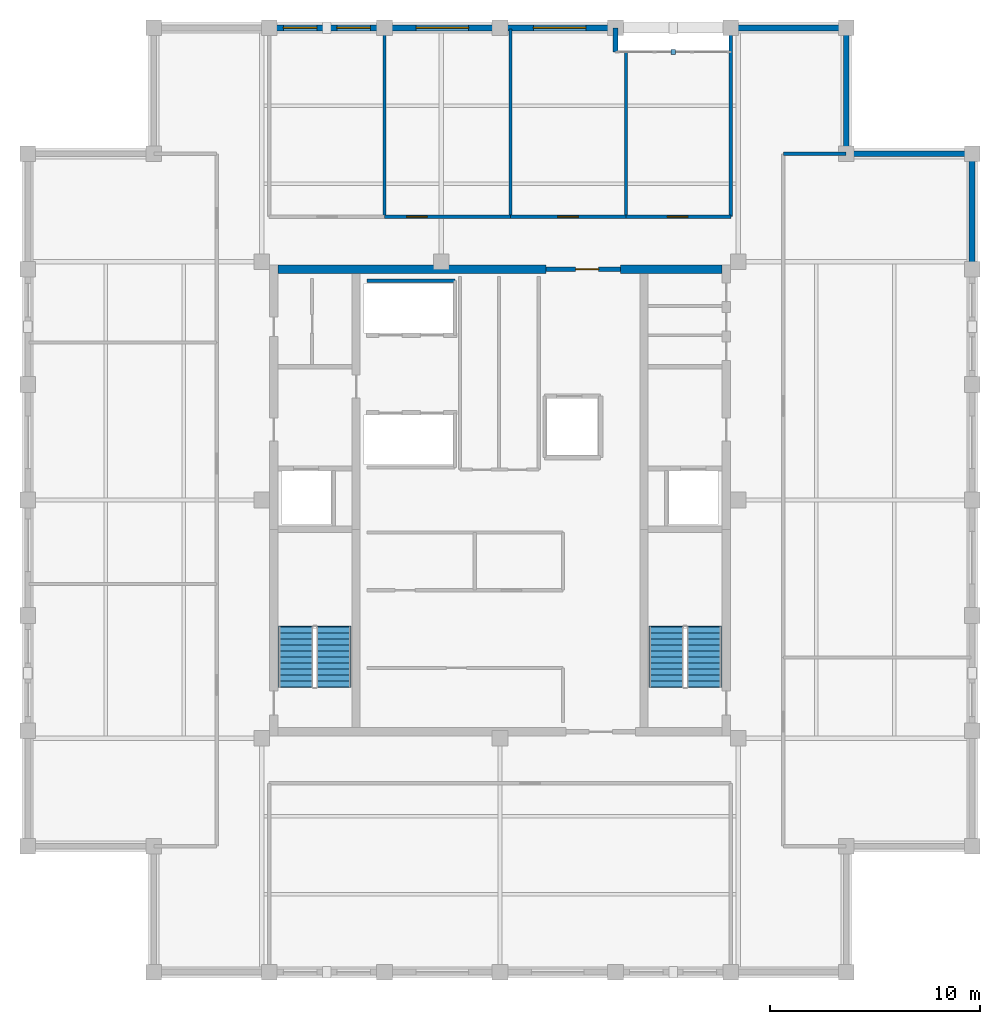
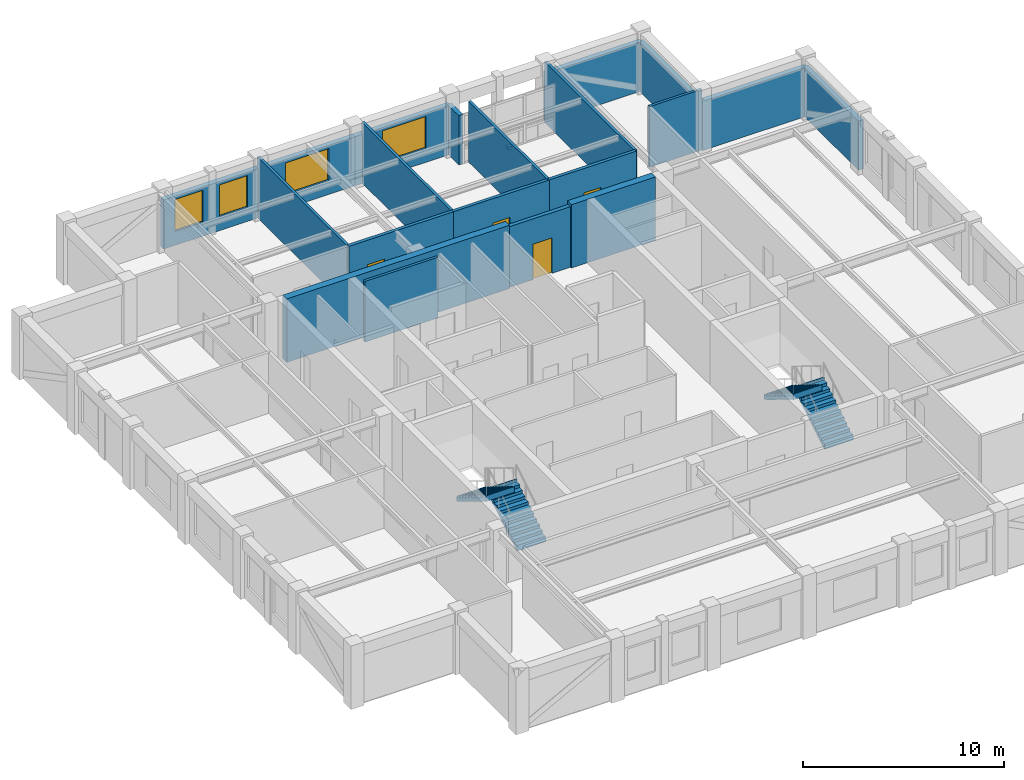
# One storey, part 6 of 7: 20 walls, 4 doors, 4 stair flights, 4 windows, 1 discrete accessory, 8 openings, 2 elements without a shape of their own.
"""IFC4 building model written with IfcOpenShell, lengths in metres."""

from ifc_helpers import new_model, si_unit, direction, frame, frame_2d, origin, origin_2d, place, context, subcontext, project, spatial, polyline, rectangle, outline, extrude, material, layer, layer_set, type_object, element, fill, aggregate, save


model = new_model("IFC4")

# Units and contexts
model_context = context("Model", 3, precision=1e-05, world=origin(), true_north=direction((0.0, 1.0)))
body_context = subcontext(model_context, "Body", "Model", "MODEL_VIEW")
ifc_project = project(units=[si_unit("LENGTHUNIT", "METRE"), si_unit("AREAUNIT", "SQUARE_METRE"), si_unit("VOLUMEUNIT", "CUBIC_METRE"), si_unit("PLANEANGLEUNIT", "RADIAN"), si_unit("MASSUNIT", "GRAM", prefix="KILO")], contexts=[model_context])

# Site, building, storey
site_placement = place(None, origin())
site = spatial("IfcSite", under=ifc_project, at=site_placement, CompositionType="ELEMENT")
building_placement = place(site_placement, origin())
building = spatial("IfcBuilding", under=site, at=building_placement, Name="Nhamokura Convention Tower", CompositionType="ELEMENT")
storey_placement = place(building_placement, frame((0.0, 0.0, 281.39990234375)))
storey = spatial("IfcBuildingStorey", under=building, at=storey_placement, Name="L69", CompositionType="ELEMENT", Elevation=281.39990234375)

# Wall
ifc_material_1 = material(Name="Bronze-pigmented precast concrete C45/55", Category="concrete")
ifc_layer_1 = layer(ifc_material_1, 0.280029296875)
ifc_layer_set_1 = layer_set([ifc_layer_1], Name="BronzePrecastSpandrel_280")
wall_type_1 = type_object("IfcWallType", Name="BronzePrecastSpandrel_280", PredefinedType="USERDEFINED", material=ifc_layer_set_1)
wall_1_placement = place(storey_placement, frame((37.5, 54.5, 0.0), z_axis=(0.0, 0.0, 1.0), x_axis=(0.0, -1.0, 0.0)))
element("IfcWall", 1, at=wall_1_placement, inside=storey, type_object=wall_type_1, Name="L69 Scale Slot Cheek Wall NORTHA", ObjectType="SPANDREL_WALL", PredefinedType="USERDEFINED", context=body_context, shape_type="SweptSolid", body=[
    extrude(rectangle(XDim=1.14990234375, YDim=0.239990234375, at=frame_2d((0.574951171875, 0.0))), origin(), (0.0, 0.0, 1.0), 2.985107421875),
])

# Wall, openings, windows
wall_2_placement = place(storey_placement, frame((21.0, 54.5, 0.0), z_axis=(0.0, 0.0, 1.0), x_axis=(1.0, 0.0, 0.0)))
wall_2 = element("IfcWall", 2, at=wall_2_placement, inside=storey, type_object=wall_type_1, Name="L69 Masonry-Frame Wall NORTH 1", ObjectType="SPANDREL_WALL", PredefinedType="USERDEFINED", context=body_context, shape_type="SweptSolid", body=[
    extrude(rectangle(XDim=5.5, YDim=0.280029296875, at=frame_2d((2.75, 0.0))), origin(), (0.0, 0.0, 1.0), 2.985107421875),
])
opening_1_placement = place(wall_2_placement, frame((0.675048828125, 0.0, 0.85009765625)))
opening_1 = element("IfcOpeningElement", 3, at=opening_1_placement, cuts=wall_2, Name="Opening W-11", PredefinedType="OPENING", context=body_context, shape_type="SweptSolid", body=[
    extrude(rectangle(XDim=1.60009765625, YDim=1.93505859375, at=frame_2d((0.800048828125, 0.967529296875))), frame((0.0, 0.14990234375, 0.0), z_axis=(0.0, -1.0, 0.0), x_axis=(1.0, 0.0, 0.0)), (0.0, 0.0, 1.0), 0.300048828125),
])
opening_2_placement = place(wall_2_placement, frame((3.22509765625, 0.0, 0.85009765625)))
opening_2 = element("IfcOpeningElement", 4, at=opening_2_placement, cuts=wall_2, Name="Opening W-11", PredefinedType="OPENING", context=body_context, shape_type="SweptSolid", body=[
    extrude(rectangle(XDim=1.60009765625, YDim=1.93505859375, at=frame_2d((0.800048828125, 0.967529296875))), frame((0.0, 0.14990234375, 0.0), z_axis=(0.0, -1.0, 0.0), x_axis=(1.0, 0.0, 0.0)), (0.0, 0.0, 1.0), 0.300048828125),
])
ifc_material_2 = material(Name="Solar-control bronze low-E double glass", Category="glass")
window_type_1 = type_object("IfcWindowType", Name="NotchCornerWindow_1600", PartitioningType="SINGLE_PANEL", PredefinedType="WINDOW", material=ifc_material_2)
window_1_placement = place(opening_1_placement, origin())
window_1 = element("IfcWindow", 5, at=window_1_placement, inside=storey, type_object=window_type_1, Name="L69 Facade Window NORTH 1-1", OverallHeight=1.93505859375, OverallWidth=1.60009765625, PartitioningType="SINGLE_PANEL", PredefinedType="WINDOW", context=body_context, shape_type="SweptSolid", body=[
    extrude(rectangle(XDim=1.60009765625, YDim=1.93505859375, at=frame_2d((0.800048828125, 0.967529296875))), frame((0.0, 0.030029296875, 0.0), z_axis=(0.0, -1.0, 0.0), x_axis=(1.0, 0.0, 0.0)), (0.0, 0.0, 1.0), 0.06005859375),
])
fill(opening_1, window_1)
window_2_placement = place(opening_2_placement, origin())
window_2 = element("IfcWindow", 6, at=window_2_placement, inside=storey, type_object=window_type_1, Name="L69 Facade Window NORTH 1-2", OverallHeight=1.93505859375, OverallWidth=1.60009765625, PartitioningType="SINGLE_PANEL", PredefinedType="WINDOW", context=body_context, shape_type="SweptSolid", body=[
    extrude(rectangle(XDim=1.60009765625, YDim=1.93505859375, at=frame_2d((0.800048828125, 0.967529296875))), frame((0.0, 0.030029296875, 0.0), z_axis=(0.0, -1.0, 0.0), x_axis=(1.0, 0.0, 0.0)), (0.0, 0.0, 1.0), 0.06005859375),
])
fill(opening_2, window_2)

# Wall, opening, window
wall_3_placement = place(storey_placement, frame((26.5, 54.5, 0.0), z_axis=(0.0, 0.0, 1.0), x_axis=(1.0, 0.0, 0.0)))
wall_3 = element("IfcWall", 7, at=wall_3_placement, inside=storey, type_object=wall_type_1, Name="L69 Masonry-Frame Wall NORTH 2", ObjectType="SPANDREL_WALL", PredefinedType="USERDEFINED", context=body_context, shape_type="SweptSolid", body=[
    extrude(rectangle(XDim=5.5, YDim=0.280029296875, at=frame_2d((2.75, 0.0))), origin(), (0.0, 0.0, 1.0), 2.985107421875),
])
opening_3_placement = place(wall_3_placement, frame((1.5, 0.0, 0.85009765625)))
opening_3 = element("IfcOpeningElement", 8, at=opening_3_placement, cuts=wall_3, Name="Opening W-09", PredefinedType="OPENING", context=body_context, shape_type="SweptSolid", body=[
    extrude(rectangle(XDim=2.5, YDim=1.93505859375, at=frame_2d((1.25, 0.967529296875))), frame((0.0, 0.14990234375, 0.0), z_axis=(0.0, -1.0, 0.0), x_axis=(1.0, 0.0, 0.0)), (0.0, 0.0, 1.0), 0.300048828125),
])
ifc_material_3 = material(Name="Solar-control bronze low-E double glass", Category="glass")
window_type_2 = type_object("IfcWindowType", Name="SummitWindow_Z4_2500", PartitioningType="DOUBLE_PANEL_VERTICAL", PredefinedType="WINDOW", material=ifc_material_3)
window_3_placement = place(opening_3_placement, origin())
window_3 = element("IfcWindow", 9, at=window_3_placement, inside=storey, type_object=window_type_2, Name="L69 Facade Window NORTH 2", OverallHeight=1.93505859375, OverallWidth=2.5, PartitioningType="SINGLE_PANEL", PredefinedType="WINDOW", context=body_context, shape_type="SweptSolid", body=[
    extrude(rectangle(XDim=2.5, YDim=1.93505859375, at=frame_2d((1.25, 0.967529296875))), frame((0.0, 0.030029296875, 0.0), z_axis=(0.0, -1.0, 0.0), x_axis=(1.0, 0.0, 0.0)), (0.0, 0.0, 1.0), 0.06005859375),
])
fill(opening_3, window_3)

wall_4_placement = place(storey_placement, frame((32.0, 54.5, 0.0), z_axis=(0.0, 0.0, 1.0), x_axis=(1.0, 0.0, 0.0)))
wall_4 = element("IfcWall", 10, at=wall_4_placement, inside=storey, type_object=wall_type_1, Name="L69 Masonry-Frame Wall NORTH 3", ObjectType="SPANDREL_WALL", PredefinedType="USERDEFINED", context=body_context, shape_type="SweptSolid", body=[
    extrude(rectangle(XDim=5.5, YDim=0.280029296875, at=frame_2d((2.75, 0.0))), origin(), (0.0, 0.0, 1.0), 2.985107421875),
])
opening_4_placement = place(wall_4_placement, frame((1.58740234375, 0.0, 0.85009765625)))
opening_4 = element("IfcOpeningElement", 11, at=opening_4_placement, cuts=wall_4, Name="Opening W-09", PredefinedType="OPENING", context=body_context, shape_type="SweptSolid", body=[
    extrude(rectangle(XDim=2.5, YDim=1.93505859375, at=frame_2d((1.25, 0.967529296875))), frame((0.0, 0.14990234375, 0.0), z_axis=(0.0, -1.0, 0.0), x_axis=(1.0, 0.0, 0.0)), (0.0, 0.0, 1.0), 0.300048828125),
])
window_4_placement = place(opening_4_placement, origin())
window_4 = element("IfcWindow", 12, at=window_4_placement, inside=storey, type_object=window_type_2, Name="L69 Facade Window NORTH 3", OverallHeight=1.93505859375, OverallWidth=2.5, PartitioningType="SINGLE_PANEL", PredefinedType="WINDOW", context=body_context, shape_type="SweptSolid", body=[
    extrude(rectangle(XDim=2.5, YDim=1.93505859375, at=frame_2d((1.25, 0.967529296875))), frame((0.0, 0.030029296875, 0.0), z_axis=(0.0, -1.0, 0.0), x_axis=(1.0, 0.0, 0.0)), (0.0, 0.0, 1.0), 0.06005859375),
])
fill(opening_4, window_4)

# Walls
for number, where, z_axis, x_axis, name in (
    (13, (43.0, 54.5, 0.0), (0.0, 0.0, 1.0), (1.0, 0.0, 0.0), "L69 Braced-Bay Precast Wall NORTH 5"),
    (14, (54.5, 48.5, 0.0), (0.0, 0.0, 1.0), (0.0, -1.0, 0.0), "L69 Braced-Bay Precast Wall EAST 5"),
):
    element("IfcWall", number, at=place(storey_placement, frame(where, z_axis=z_axis, x_axis=x_axis)), inside=storey, type_object=wall_type_1, Name=name, ObjectType="SPANDREL_WALL", PredefinedType="USERDEFINED", context=body_context, shape_type="SweptSolid", body=[
        extrude(rectangle(XDim=5.5, YDim=0.280029296875, at=frame_2d((2.75, 0.0))), origin(), (0.0, 0.0, 1.0), 2.985107421875),
    ])
for number, where, z_axis, x_axis, name in (
    (15, (48.5, 48.5, 0.0), (0.0, 0.0, 1.0), (1.0, 0.0, 0.0), "L69 Notched Corner Wall NE1"),
    (16, (48.5, 54.5, 0.0), (0.0, 0.0, 1.0), (0.0, -1.0, 0.0), "L69 Notched Corner Wall NE2"),
):
    element("IfcWall", number, at=place(storey_placement, frame(where, z_axis=z_axis, x_axis=x_axis)), inside=storey, type_object=wall_type_1, Name=name, ObjectType="SPANDREL_WALL", PredefinedType="USERDEFINED", context=body_context, shape_type="SweptSolid", body=[
        extrude(rectangle(XDim=6.0, YDim=0.280029296875, at=frame_2d((3.0, 0.0))), origin(), (0.0, 0.0, 1.0), 2.985107421875),
    ])
ifc_material_4 = material(Name="Concrete C50/60", Category="concrete")
ifc_layer_2 = layer(ifc_material_4, 0.39990234375)
ifc_layer_set_2 = layer_set([ifc_layer_2], Name="CoreShearWall_400")
wall_type_2 = type_object("IfcWallType", Name="CoreShearWall_400", PredefinedType="SHEAR", material=ifc_layer_set_2)
wall_5_placement = place(storey_placement, frame((21.409912109375, 43.0, 0.0), z_axis=(0.0, 0.0, 1.0), x_axis=(1.0, 0.0, 0.0)))
element("IfcWall", 17, at=wall_5_placement, inside=storey, type_object=wall_type_2, Name="L69 Core Shear Wall CW-N1", PredefinedType="SHEAR", context=body_context, shape_type="SweptSolid", body=[
    extrude(rectangle(XDim=12.7900390625, YDim=0.39990234375, at=frame_2d((6.39501953125, 0.0))), origin(), (0.0, 0.0, 1.0), 3.85009765625),
])
wall_6_placement = place(storey_placement, frame((37.75, 43.0, 0.0), z_axis=(0.0, 0.0, 1.0), x_axis=(1.0, 0.0, 0.0)))
element("IfcWall", 18, at=wall_6_placement, inside=storey, type_object=wall_type_2, Name="L69 Core Shear Wall CW-N2", PredefinedType="SHEAR", context=body_context, shape_type="SweptSolid", body=[
    extrude(rectangle(XDim=4.840087890625, YDim=0.39990234375, at=frame_2d((2.419921875, 0.0))), origin(), (0.0, 0.0, 1.0), 3.85009765625),
])

# Wall, opening, door
ifc_material_5 = material(Name="Fire-rated gypsum and masonry partition", Category="masonry")
ifc_layer_3 = layer(ifc_material_5, 0.179931640625)
ifc_layer_set_3 = layer_set([ifc_layer_3], Name="CorridorRatedWall_180")
wall_type_3 = type_object("IfcWallType", Name="CorridorRatedWall_180", PredefinedType="STANDARD", material=ifc_layer_set_3)
wall_7_placement = place(storey_placement, frame((26.5, 45.5, 0.0), z_axis=(0.0, 0.0, 1.0), x_axis=(1.0, 0.0, 0.0)))
wall_7 = element("IfcWall", 19, at=wall_7_placement, inside=storey, type_object=wall_type_3, Name="L69 Wall INT-L69-CW-N01", PredefinedType="STANDARD", context=body_context, shape_type="SweptSolid", body=[
    extrude(rectangle(XDim=6.0, YDim=0.179931640625, at=frame_2d((3.0, 0.0))), origin(), (0.0, 0.0, 1.0), 3.68505859375),
])
opening_5_placement = place(wall_7_placement, frame((1.050048828125, 0.0, 0.0)))
opening_5 = element("IfcOpeningElement", 20, at=opening_5_placement, cuts=wall_7, Name="Opening D-08", PredefinedType="OPENING", context=body_context, shape_type="SweptSolid", body=[
    extrude(rectangle(XDim=0.97998046875, YDim=2.199951171875, at=frame_2d((0.489990234375, 1.10009765625))), frame((0.0, 0.099853515625, 0.0), z_axis=(0.0, -1.0, 0.0), x_axis=(1.0, 0.0, 0.0)), (0.0, 0.0, 1.0), 0.199951171875),
])
ifc_material_6 = material(Name="Solid oak hardwood", Category="wood")
door_type_1 = type_object("IfcDoorType", Name="OfficeEntryDoor_980", OperationType="NOTDEFINED", PredefinedType="DOOR", material=ifc_material_6)
door_1_placement = place(opening_5_placement, origin())
door_1 = element("IfcDoor", 21, at=door_1_placement, inside=storey, type_object=door_type_1, Name="L69 Meeting Room N02 Door", OperationType="SINGLE_SWING_RIGHT", OverallHeight=2.199951171875, OverallWidth=0.97998046875, PredefinedType="DOOR", context=body_context, shape_type="SweptSolid", body=[
    extrude(rectangle(XDim=0.97998046875, YDim=2.199951171875, at=frame_2d((0.489990234375, 1.10009765625))), frame((0.0, 0.02490234375, 0.0), z_axis=(0.0, -1.0, 0.0), x_axis=(1.0, 0.0, 0.0)), (0.0, 0.0, 1.0), 0.050048828125),
])
fill(opening_5, door_1)

wall_8_placement = place(storey_placement, frame((32.5, 45.5, 0.0), z_axis=(0.0, 0.0, 1.0), x_axis=(1.0, 0.0, 0.0)))
wall_8 = element("IfcWall", 22, at=wall_8_placement, inside=storey, type_object=wall_type_3, Name="L69 Wall INT-L69-CW-N02", PredefinedType="STANDARD", context=body_context, shape_type="SweptSolid", body=[
    extrude(rectangle(XDim=5.5, YDim=0.179931640625, at=frame_2d((2.75, 0.0))), origin(), (0.0, 0.0, 1.0), 3.68505859375),
])
opening_6_placement = place(wall_8_placement, frame((2.25, 0.0, 0.0)))
opening_6 = element("IfcOpeningElement", 23, at=opening_6_placement, cuts=wall_8, Name="Opening D-08", PredefinedType="OPENING", context=body_context, shape_type="SweptSolid", body=[
    extrude(rectangle(XDim=0.97998046875, YDim=2.199951171875, at=frame_2d((0.489990234375, 1.10009765625))), frame((0.0, 0.099853515625, 0.0), z_axis=(0.0, -1.0, 0.0), x_axis=(1.0, 0.0, 0.0)), (0.0, 0.0, 1.0), 0.199951171875),
])
door_2_placement = place(opening_6_placement, origin())
door_2 = element("IfcDoor", 24, at=door_2_placement, inside=storey, type_object=door_type_1, Name="L69 Interpretation Booth N03 Door", OperationType="SINGLE_SWING_LEFT", OverallHeight=2.199951171875, OverallWidth=0.97998046875, PredefinedType="DOOR", context=body_context, shape_type="SweptSolid", body=[
    extrude(rectangle(XDim=0.97998046875, YDim=2.199951171875, at=frame_2d((0.489990234375, 1.10009765625))), frame((0.0, 0.02490234375, 0.0), z_axis=(0.0, -1.0, 0.0), x_axis=(1.0, 0.0, 0.0)), (0.0, 0.0, 1.0), 0.050048828125),
])
fill(opening_6, door_2)

wall_9_placement = place(storey_placement, frame((38.0, 45.5, 0.0), z_axis=(0.0, 0.0, 1.0), x_axis=(1.0, 0.0, 0.0)))
wall_9 = element("IfcWall", 25, at=wall_9_placement, inside=storey, type_object=wall_type_3, Name="L69 Wall INT-L69-CW-N03", PredefinedType="STANDARD", context=body_context, shape_type="SweptSolid", body=[
    extrude(rectangle(XDim=5.0, YDim=0.179931640625, at=frame_2d((2.5, 0.0))), origin(), (0.0, 0.0, 1.0), 3.68505859375),
])
opening_7_placement = place(wall_9_placement, frame((1.97509765625, 0.0, 0.0)))
opening_7 = element("IfcOpeningElement", 26, at=opening_7_placement, cuts=wall_9, Name="Opening D-08", PredefinedType="OPENING", context=body_context, shape_type="SweptSolid", body=[
    extrude(rectangle(XDim=0.97998046875, YDim=2.199951171875, at=frame_2d((0.489990234375, 1.10009765625))), frame((0.0, 0.099853515625, 0.0), z_axis=(0.0, -1.0, 0.0), x_axis=(1.0, 0.0, 0.0)), (0.0, 0.0, 1.0), 0.199951171875),
])
door_3_placement = place(opening_7_placement, origin())
door_3 = element("IfcDoor", 27, at=door_3_placement, inside=storey, type_object=door_type_1, Name="L69 Document Store N04 Door", OperationType="SINGLE_SWING_RIGHT", OverallHeight=2.199951171875, OverallWidth=0.97998046875, PredefinedType="DOOR", context=body_context, shape_type="SweptSolid", body=[
    extrude(rectangle(XDim=0.97998046875, YDim=2.199951171875, at=frame_2d((0.489990234375, 1.10009765625))), frame((0.0, 0.02490234375, 0.0), z_axis=(0.0, -1.0, 0.0), x_axis=(1.0, 0.0, 0.0)), (0.0, 0.0, 1.0), 0.050048828125),
])
fill(opening_7, door_3)

ifc_material_7 = material(Name="Autoclaved concrete blockwork", Category="masonry")
ifc_layer_4 = layer(ifc_material_7, 0.219970703125)
ifc_layer_set_4 = layer_set([ifc_layer_4], Name="FireLobbyWall_220")
wall_type_4 = type_object("IfcWallType", Name="FireLobbyWall_220", PredefinedType="STANDARD", material=ifc_layer_set_4)
wall_10_placement = place(storey_placement, frame((34.199951171875, 43.0, 0.0), z_axis=(0.0, 0.0, 1.0), x_axis=(1.0, 0.0, 0.0)))
wall_10 = element("IfcWall", 28, at=wall_10_placement, inside=storey, type_object=wall_type_4, Name="L69 Wall INT-L69-CPORT-N", PredefinedType="STANDARD", context=body_context, shape_type="SweptSolid", body=[
    extrude(rectangle(XDim=3.550048828125, YDim=0.219970703125, at=frame_2d((1.77490234375, 0.0))), origin(), (0.0, 0.0, 1.0), 3.68505859375),
])
opening_8_placement = place(wall_10_placement, frame((1.39990234375, 0.0, 0.0)))
opening_8 = element("IfcOpeningElement", 29, at=opening_8_placement, cuts=wall_10, Name="Opening D-05", PredefinedType="OPENING", context=body_context, shape_type="SweptSolid", body=[
    extrude(rectangle(XDim=1.10009765625, YDim=2.14990234375, at=frame_2d((0.550048828125, 1.074951171875))), frame((0.0, 0.119873046875, 0.0), z_axis=(0.0, -1.0, 0.0), x_axis=(1.0, 0.0, 0.0)), (0.0, 0.0, 1.0), 0.239990234375),
])
ifc_material_8 = material(Name="Fire-rated steel door", Category="steel")
door_type_2 = type_object("IfcDoorType", Name="FireLobbyDoor_1100", OperationType="NOTDEFINED", PredefinedType="DOOR", material=ifc_material_8)
door_4_placement = place(opening_8_placement, origin())
door_4 = element("IfcDoor", 30, at=door_4_placement, inside=storey, type_object=door_type_2, Name="L69 North Core Lobby Portal Door", OperationType="SINGLE_SWING_RIGHT", OverallHeight=2.14990234375, OverallWidth=1.10009765625, PredefinedType="DOOR", context=body_context, shape_type="SweptSolid", body=[
    extrude(rectangle(XDim=1.10009765625, YDim=2.14990234375, at=frame_2d((0.550048828125, 1.074951171875))), frame((0.0, 0.02490234375, 0.0), z_axis=(0.0, -1.0, 0.0), x_axis=(1.0, 0.0, 0.0)), (0.0, 0.0, 1.0), 0.050048828125),
])
fill(opening_8, door_4)

# Walls
ifc_material_9 = material(Name="Acoustic gypsum stud partition", Category="masonry")
ifc_layer_5 = layer(ifc_material_9, 0.14990234375)
ifc_layer_set_5 = layer_set([ifc_layer_5], Name="InteriorPartition_150")
wall_type_5 = type_object("IfcWallType", Name="InteriorPartition_150", PredefinedType="STANDARD", material=ifc_layer_set_5)
wall_11_placement = place(storey_placement, frame((25.64990234375, 42.449951171875, 0.0), z_axis=(0.0, 0.0, 1.0), x_axis=(1.0, 0.0, 0.0)))
element("IfcWall", 31, at=wall_11_placement, inside=storey, type_object=wall_type_5, Name="L69 Wall INT-L69-B3B-N", PredefinedType="STANDARD", context=body_context, shape_type="SweptSolid", body=[
    extrude(rectangle(XDim=4.2001953125, YDim=0.14990234375, at=frame_2d((2.10009765625, 0.0))), origin(), (0.0, 0.0, 1.0), 3.68505859375),
])
for number, where, z_axis, x_axis, name in (
    (32, (43.0, 45.5, 0.0), (0.0, 0.0, 1.0), (0.0, 1.0, 0.0), "L69 Wall INT-L69-RWR-N"),
    (33, (26.5, 45.5, 0.0), (0.0, 0.0, 1.0), (0.0, 1.0, 0.0), "L69 Wall INT-L69-RW-N01"),
    (34, (32.5, 45.5, 0.0), (0.0, 0.0, 1.0), (0.0, 1.0, 0.0), "L69 Wall INT-L69-RW-N02"),
):
    element("IfcWall", number, at=place(storey_placement, frame(where, z_axis=z_axis, x_axis=x_axis)), inside=storey, type_object=wall_type_5, Name=name, PredefinedType="STANDARD", context=body_context, shape_type="SweptSolid", body=[
        extrude(rectangle(XDim=8.93994140625, YDim=0.14990234375, at=frame_2d((4.469970703125, 0.0))), origin(), (0.0, 0.0, 1.0), 3.68505859375),
    ])
wall_12_placement = place(storey_placement, frame((38.0, 45.5, 0.0), z_axis=(0.0, 0.0, 1.0), x_axis=(0.0, 1.0, 0.0)))
element("IfcWall", 35, at=wall_12_placement, inside=storey, type_object=wall_type_5, Name="L69 Wall INT-L69-RW-N03", PredefinedType="STANDARD", context=body_context, shape_type="SweptSolid", body=[
    extrude(rectangle(XDim=7.840087890625, YDim=0.14990234375, at=frame_2d((3.919921875, 0.0))), origin(), (0.0, 0.0, 1.0), 3.68505859375),
])
wall_13_placement = place(storey_placement, frame((45.5, 48.5, 0.0), z_axis=(0.0, 0.0, 1.0), x_axis=(1.0, 0.0, 0.0)))
element("IfcWall", 36, at=wall_13_placement, inside=storey, type_object=wall_type_5, Name="L69 Wall INT-L69-VSTP-EN", PredefinedType="STANDARD", context=body_context, shape_type="SweptSolid", body=[
    extrude(rectangle(XDim=3.0, YDim=0.14990234375, at=frame_2d((1.5, 0.0))), origin(), (0.0, 0.0, 1.0), 3.68505859375),
])

# Stair, stair flights
ifc_material_10 = material(Name="Concrete C40/50", Category="concrete")
stair_type = type_object("IfcStairType", Name="TowerCoreStair_1650", PredefinedType="HALF_TURN_STAIR", material=ifc_material_10)
stair_1_placement = place(storey_placement, origin())
stair_1 = element("IfcStair", 37, at=stair_1_placement, inside=storey, type_object=stair_type, Name="L69 West Core Smokeproof Stair ST-01", PredefinedType="HALF_TURN_STAIR")
ifc_material_11 = material(Name="Concrete C40/50", Category="concrete")
stair_flight_type = type_object("IfcStairFlightType", Name="TowerCoreStair_1650_Flight", PredefinedType="STRAIGHT", material=ifc_material_11)
stair_flight_1_placement = place(storey_placement, frame((24.074951171875, 23.10009765625, 0.0), z_axis=(0.0, 0.0, 1.0), x_axis=(0.0, 1.0, 0.0)))
stair_flight_1 = element("IfcStairFlight", 38, at=stair_flight_1_placement, type_object=stair_flight_type, Name="ST-01 flight 1", NumberOfRisers=11, NumberOfTreads=10, PredefinedType="STRAIGHT", RiserHeight=0.175, TreadLength=0.285, context=body_context, shape_type="SweptSolid", body=[
    extrude(outline(polyline([(-0.0419921875, 0.0), (0.0, 0.175048828125), (0.284912109375, 0.175048828125), (0.284912109375, 0.35009765625), (0.570068359375, 0.35009765625), (0.570068359375, 0.52490234375), (0.85498046875, 0.52490234375), (0.85498046875, 0.699951171875), (1.139892578125, 0.699951171875), (1.139892578125, 0.875), (1.425048828125, 0.875), (1.425048828125, 1.050048828125), (1.7099609375, 1.050048828125), (1.7099609375, 1.22509765625), (1.9951171875, 1.22509765625), (1.9951171875, 1.39990234375), (2.280029296875, 1.39990234375), (2.280029296875, 1.574951171875), (2.56494140625, 1.574951171875), (2.56494140625, 1.75), (2.85009765625, 1.75), (2.85009765625, 1.925048828125), (2.89208984375, 1.925048828125), (2.89208984375, 1.573974609375), (2.85009765625, 1.573974609375), (0.286376953125, 0.0), (0.02001953125, -0.1298828125), (-0.0419921875, -0.1298828125), (-0.0419921875, 0.0)])), frame((0.0, 0.824951171875, 0.0), z_axis=(0.0, -1.0, 0.0), x_axis=(1.0, 0.0, 0.0)), (0.0, 0.0, 1.0), 1.64990234375),
])
stair_flight_2_placement = place(storey_placement, frame((22.27490234375, 25.949951171875, 1.925048828125), z_axis=(0.0, 0.0, 1.0), x_axis=(0.0, -1.0, 0.0)))
stair_flight_2 = element("IfcStairFlight", 39, at=stair_flight_2_placement, type_object=stair_flight_type, Name="ST-01 flight 2", NumberOfRisers=11, NumberOfTreads=10, PredefinedType="STRAIGHT", RiserHeight=0.175, TreadLength=0.285, context=body_context, shape_type="SweptSolid", body=[
    extrude(outline(polyline([(-0.0419921875, 0.0), (0.0, 0.175048828125), (0.284912109375, 0.175048828125), (0.284912109375, 0.35009765625), (0.570068359375, 0.35009765625), (0.570068359375, 0.52490234375), (0.85498046875, 0.52490234375), (0.85498046875, 0.699951171875), (1.139892578125, 0.699951171875), (1.139892578125, 0.875), (1.425048828125, 0.875), (1.425048828125, 1.050048828125), (1.7099609375, 1.050048828125), (1.7099609375, 1.22509765625), (1.9951171875, 1.22509765625), (1.9951171875, 1.39990234375), (2.280029296875, 1.39990234375), (2.280029296875, 1.574951171875), (2.56494140625, 1.574951171875), (2.56494140625, 1.75), (2.85009765625, 1.75), (2.85009765625, 1.925048828125), (2.89208984375, 1.925048828125), (2.89208984375, 1.573974609375), (2.85009765625, 1.573974609375), (0.286376953125, 0.0), (0.02001953125, -0.1298828125), (-0.0419921875, -0.1298828125), (-0.0419921875, 0.0)])), frame((0.0, 0.824951171875, 0.0), z_axis=(0.0, -1.0, 0.0), x_axis=(1.0, 0.0, 0.0)), (0.0, 0.0, 1.0), 1.64990234375),
])
aggregate(stair_1, [stair_flight_1, stair_flight_2])

stair_2_placement = place(storey_placement, origin())
stair_2 = element("IfcStair", 40, at=stair_2_placement, inside=storey, type_object=stair_type, Name="L69 East Core Smokeproof Stair ST-02", PredefinedType="HALF_TURN_STAIR")
stair_flight_3_placement = place(storey_placement, frame((41.72509765625, 23.10009765625, 0.0), z_axis=(0.0, 0.0, 1.0), x_axis=(0.0, 1.0, 0.0)))
stair_flight_3 = element("IfcStairFlight", 41, at=stair_flight_3_placement, type_object=stair_flight_type, Name="ST-02 flight 1", NumberOfRisers=11, NumberOfTreads=10, PredefinedType="STRAIGHT", RiserHeight=0.175, TreadLength=0.285, context=body_context, shape_type="SweptSolid", body=[
    extrude(outline(polyline([(-0.0419921875, 0.0), (0.0, 0.175048828125), (0.284912109375, 0.175048828125), (0.284912109375, 0.35009765625), (0.570068359375, 0.35009765625), (0.570068359375, 0.52490234375), (0.85498046875, 0.52490234375), (0.85498046875, 0.699951171875), (1.139892578125, 0.699951171875), (1.139892578125, 0.875), (1.425048828125, 0.875), (1.425048828125, 1.050048828125), (1.7099609375, 1.050048828125), (1.7099609375, 1.22509765625), (1.9951171875, 1.22509765625), (1.9951171875, 1.39990234375), (2.280029296875, 1.39990234375), (2.280029296875, 1.574951171875), (2.56494140625, 1.574951171875), (2.56494140625, 1.75), (2.85009765625, 1.75), (2.85009765625, 1.925048828125), (2.89208984375, 1.925048828125), (2.89208984375, 1.573974609375), (2.85009765625, 1.573974609375), (0.286376953125, 0.0), (0.02001953125, -0.1298828125), (-0.0419921875, -0.1298828125), (-0.0419921875, 0.0)])), frame((0.0, 0.824951171875, 0.0), z_axis=(0.0, -1.0, 0.0), x_axis=(1.0, 0.0, 0.0)), (0.0, 0.0, 1.0), 1.64990234375),
])
stair_flight_4_placement = place(storey_placement, frame((39.925048828125, 25.949951171875, 1.925048828125), z_axis=(0.0, 0.0, 1.0), x_axis=(0.0, -1.0, 0.0)))
stair_flight_4 = element("IfcStairFlight", 42, at=stair_flight_4_placement, type_object=stair_flight_type, Name="ST-02 flight 2", NumberOfRisers=11, NumberOfTreads=10, PredefinedType="STRAIGHT", RiserHeight=0.175, TreadLength=0.285, context=body_context, shape_type="SweptSolid", body=[
    extrude(outline(polyline([(-0.0419921875, 0.0), (0.0, 0.175048828125), (0.284912109375, 0.175048828125), (0.284912109375, 0.35009765625), (0.570068359375, 0.35009765625), (0.570068359375, 0.52490234375), (0.85498046875, 0.52490234375), (0.85498046875, 0.699951171875), (1.139892578125, 0.699951171875), (1.139892578125, 0.875), (1.425048828125, 0.875), (1.425048828125, 1.050048828125), (1.7099609375, 1.050048828125), (1.7099609375, 1.22509765625), (1.9951171875, 1.22509765625), (1.9951171875, 1.39990234375), (2.280029296875, 1.39990234375), (2.280029296875, 1.574951171875), (2.56494140625, 1.574951171875), (2.56494140625, 1.75), (2.85009765625, 1.75), (2.85009765625, 1.925048828125), (2.89208984375, 1.925048828125), (2.89208984375, 1.573974609375), (2.85009765625, 1.573974609375), (0.286376953125, 0.0), (0.02001953125, -0.1298828125), (-0.0419921875, -0.1298828125), (-0.0419921875, 0.0)])), frame((0.0, 0.824951171875, 0.0), z_axis=(0.0, -1.0, 0.0), x_axis=(1.0, 0.0, 0.0)), (0.0, 0.0, 1.0), 1.64990234375),
])
aggregate(stair_2, [stair_flight_3, stair_flight_4])

# Discrete accessory
ifc_material_12 = material(Name="Steel ASTM A572 Gr 50", Category="steel")
discrete_accessory_type = type_object("IfcDiscreteAccessoryType", Name="FacadeOutstandBracket", PredefinedType="BRACKET", material=ifc_material_12)
discrete_accessory_placement = place(storey_placement, frame((40.25, 53.35009765625, -0.02001953125), z_axis=(0.0, 0.0, 1.0), x_axis=(1.0, 0.0, 0.0)))
element("IfcDiscreteAccessory", 43, at=discrete_accessory_placement, inside=storey, type_object=discrete_accessory_type, Name="L69 Scale Slot Base Shoe Bracket NORTH 4", PredefinedType="BRACKET", context=body_context, shape_type="SweptSolid", body=[
    extrude(rectangle(XDim=0.219970703125, YDim=0.219970703125, at=origin_2d()), origin(), (0.0, 0.0, 1.0), 0.199951171875),
])

save(model, "model.ifc")
